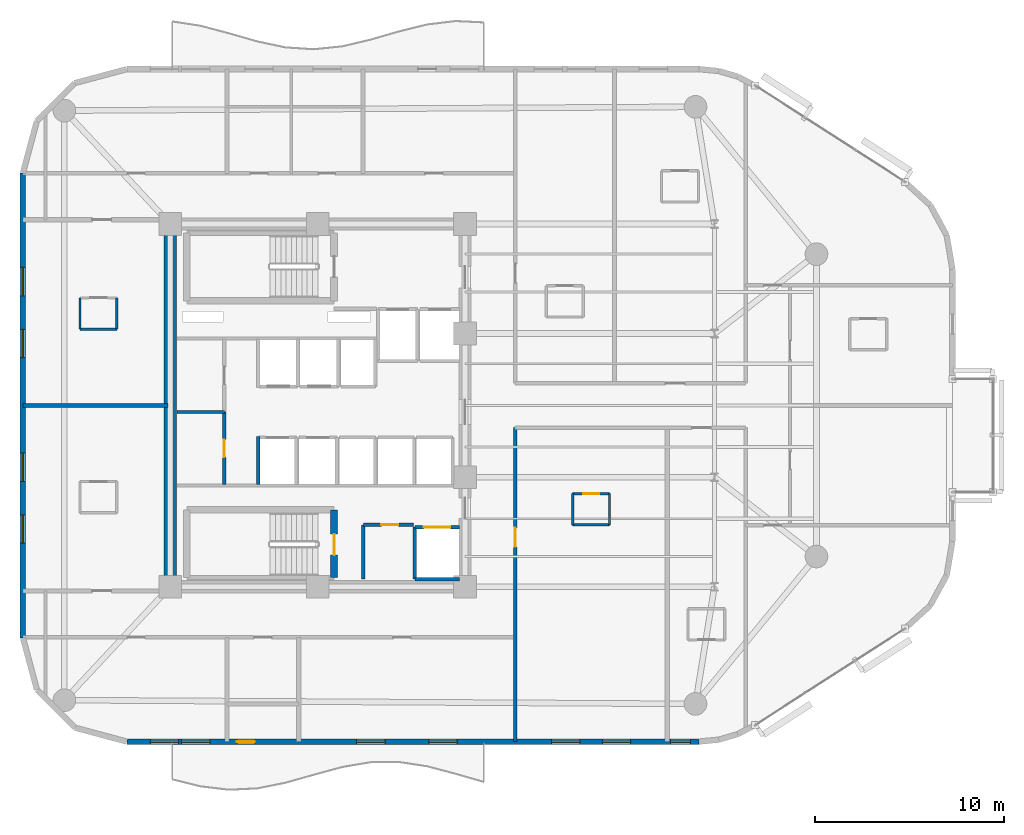
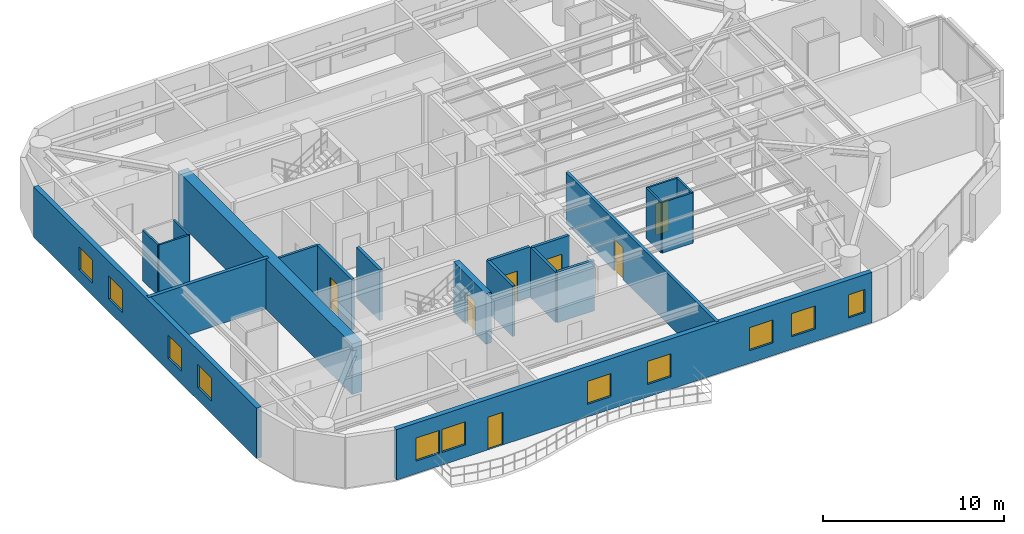
# One storey, part 11 of 16: 21 walls, 11 windows, 7 doors, 18 openings.
"""IFC4 building model written with IfcOpenShell, lengths in metres."""

from ifc_helpers import new_model, si_unit, direction, frame, frame_2d, origin, place, context, subcontext, project, spatial, rectangle, extrude, material, layer, layer_set, type_object, element, fill, save


model = new_model("IFC4")

# Units and contexts
model_context = context("Model", 3, precision=1e-05, world=origin(), true_north=direction((0.0, 1.0)))
body_context = subcontext(model_context, "Body", "Model", "MODEL_VIEW")
ifc_project = project(units=[si_unit("LENGTHUNIT", "METRE"), si_unit("AREAUNIT", "SQUARE_METRE"), si_unit("VOLUMEUNIT", "CUBIC_METRE"), si_unit("PLANEANGLEUNIT", "RADIAN"), si_unit("MASSUNIT", "GRAM", prefix="KILO")], contexts=[model_context])

# Site, building, storey
site_placement = place(None, origin())
site = spatial("IfcSite", under=ifc_project, at=site_placement, CompositionType="ELEMENT")
building_placement = place(site_placement, origin())
building = spatial("IfcBuilding", under=site, at=building_placement, Name="An Khanh Terracotta Commons", CompositionType="ELEMENT")
storey_placement = place(building_placement, frame((0.0, 0.0, 151.0)))
storey = spatial("IfcBuildingStorey", under=building, at=storey_placement, Name="L39", CompositionType="ELEMENT", Elevation=151.0)

# Wall
ifc_material_1 = material(Name="Concrete C60/75", Category="concrete")
ifc_layer_1 = layer(ifc_material_1, 0.64990234375, Name="Concrete C60/75")
ifc_layer_set_1 = layer_set([ifc_layer_1], Name="Concrete C60/75")
wall_type_1 = type_object("IfcWallType", Name="WALL-CORE-650", PredefinedType="SHEAR", material=ifc_layer_set_1)
wall_1_placement = place(storey_placement, frame((21.60009765625, 14.39990234375, 0.0), z_axis=(0.0, 0.0, 1.0), x_axis=(0.0, 1.0, 0.0)))
element("IfcWall", 1, at=wall_1_placement, inside=storey, type_object=wall_type_1, Name="L39 Core Wall CWALL-L39-W", PredefinedType="SHEAR", context=body_context, shape_type="SweptSolid", body=[
    extrude(rectangle(XDim=19.2001953125, YDim=0.64990234375, at=frame_2d((9.60009765625, 0.0))), origin(), (0.0, 0.0, 1.0), 3.39990234375),
])

# Wall, opening, door
ifc_material_2 = material(Name="Fire-Rated Gypsum Board on Steel Stud", Category="steel")
ifc_layer_2 = layer(ifc_material_2, 0.179931640625, Name="Fire-Rated Gypsum Board on Steel Stud")
ifc_layer_set_2 = layer_set([ifc_layer_2], Name="Fire-Rated Gypsum Board on Steel Stud")
wall_type_2 = type_object("IfcWallType", Name="WALL-CORR-180", PredefinedType="PARTITIONING", material=ifc_layer_set_2)
wall_2_placement = place(storey_placement, frame((31.820068359375, 17.679931640625, 0.0), z_axis=(0.0, 0.0, 1.0), x_axis=(1.0, 0.0, 0.0)))
wall_2 = element("IfcWall", 2, at=wall_2_placement, inside=storey, type_object=wall_type_2, Name="L39 Core Wall SSVCW-L39-N", PredefinedType="PARTITIONING", context=body_context, shape_type="SweptSolid", body=[
    extrude(rectangle(XDim=2.659912109375, YDim=0.179931640625, at=frame_2d((1.330078125, 0.0))), origin(), (0.0, 0.0, 1.0), 3.39990234375),
])
opening_1_placement = place(wall_2_placement, frame((0.949951171875, 0.0, 0.0)))
opening_1 = element("IfcOpeningElement", 3, at=opening_1_placement, cuts=wall_2, Name="Opening D-SV", PredefinedType="OPENING", context=body_context, shape_type="SweptSolid", body=[
    extrude(rectangle(XDim=0.89990234375, YDim=2.050048828125, at=frame_2d((0.449951171875, 1.02490234375))), frame((0.0, 0.099853515625, 0.0), z_axis=(0.0, -1.0, 0.0), x_axis=(1.0, 0.0, 0.0)), (0.0, 0.0, 1.0), 0.199951171875),
])
ifc_material_3 = material(Name="Fire-Rated Powder-Coated Steel Door", Category="steel")
door_type_1 = type_object("IfcDoorType", Name="DOOR-SERV-900", OperationType="NOTDEFINED", PredefinedType="DOOR", material=ifc_material_3)
door_1_placement = place(opening_1_placement, origin())
door_1 = element("IfcDoor", 4, at=door_1_placement, inside=storey, type_object=door_type_1, Name="L39 Electrical Switch Cupboard Door", OperationType="SINGLE_SWING_LEFT", OverallHeight=2.050048828125, OverallWidth=0.89990234375, PredefinedType="DOOR", context=body_context, shape_type="SweptSolid", body=[
    extrude(rectangle(XDim=0.89990234375, YDim=2.050048828125, at=frame_2d((0.449951171875, 1.02490234375))), frame((0.0, 0.02490234375, 0.0), z_axis=(0.0, -1.0, 0.0), x_axis=(1.0, 0.0, 0.0)), (0.0, 0.0, 1.0), 0.050048828125),
])
fill(opening_1, door_1)

# Wall
wall_3_placement = place(storey_placement, frame((31.820068359375, 14.800048828125, 0.0), z_axis=(0.0, 0.0, 1.0), x_axis=(0.0, 1.0, 0.0)))
element("IfcWall", 5, at=wall_3_placement, inside=storey, type_object=wall_type_2, Name="L39 Core Wall SSVCW-L39-W", PredefinedType="PARTITIONING", context=body_context, shape_type="SweptSolid", body=[
    extrude(rectangle(XDim=2.8798828125, YDim=0.179931640625, at=frame_2d((1.43994140625, 0.0))), origin(), (0.0, 0.0, 1.0), 3.39990234375),
])

# Wall, opening, door
wall_4_placement = place(storey_placement, frame((34.550048828125, 17.550048828125, 0.0), z_axis=(0.0, 0.0, 1.0), x_axis=(1.0, 0.0, 0.0)))
wall_4 = element("IfcWall", 6, at=wall_4_placement, inside=storey, type_object=wall_type_2, Name="L39 Core Wall LSH-L39-SVL-01-N", PredefinedType="PARTITIONING", context=body_context, shape_type="SweptSolid", body=[
    extrude(rectangle(XDim=2.349853515625, YDim=0.179931640625, at=frame_2d((1.1748046875, 0.0))), origin(), (0.0, 0.0, 1.0), 3.39990234375),
])
opening_2_placement = place(wall_4_placement, frame((0.47509765625, 0.0, 0.0)))
opening_2 = element("IfcOpeningElement", 7, at=opening_2_placement, cuts=wall_4, Name="Opening LD-SVL-01-L39", PredefinedType="OPENING", context=body_context, shape_type="SweptSolid", body=[
    extrude(rectangle(XDim=1.39990234375, YDim=2.300048828125, at=frame_2d((0.699951171875, 1.14990234375))), frame((0.0, 0.099853515625, 0.0), z_axis=(0.0, -1.0, 0.0), x_axis=(1.0, 0.0, 0.0)), (0.0, 0.0, 1.0), 0.199951171875),
])
ifc_material_4 = material(Name="Heavy-Duty Stainless Steel Goods Landing Door", Category="steel")
door_type_2 = type_object("IfcDoorType", Name="DOOR-LD-SVL-1400", OperationType="NOTDEFINED", PredefinedType="DOOR", material=ifc_material_4)
door_2_placement = place(opening_2_placement, origin())
door_2 = element("IfcDoor", 8, at=door_2_placement, inside=storey, type_object=door_type_2, Name="L39 Lift SVL-01 Sliding Landing Door", OperationType="DOUBLE_DOOR_SLIDING", OverallHeight=2.300048828125, OverallWidth=1.39990234375, PredefinedType="DOOR", context=body_context, shape_type="SweptSolid", body=[
    extrude(rectangle(XDim=1.39990234375, YDim=2.300048828125, at=frame_2d((0.699951171875, 1.14990234375))), frame((0.0, 0.02490234375, 0.0), z_axis=(0.0, -1.0, 0.0), x_axis=(1.0, 0.0, 0.0)), (0.0, 0.0, 1.0), 0.050048828125),
])
fill(opening_2, door_2)

# Walls
wall_5_placement = place(storey_placement, frame((36.89990234375, 14.800048828125, 0.0), z_axis=(0.0, 0.0, 1.0), x_axis=(-1.0, 0.0, 0.0)))
element("IfcWall", 9, at=wall_5_placement, inside=storey, type_object=wall_type_2, Name="L39 Core Wall LSH-L39-SVL-01-S", PredefinedType="PARTITIONING", context=body_context, shape_type="SweptSolid", body=[
    extrude(rectangle(XDim=2.349853515625, YDim=0.179931640625, at=frame_2d((1.1748046875, 0.0))), origin(), (0.0, 0.0, 1.0), 3.39990234375),
])
wall_6_placement = place(storey_placement, frame((34.550048828125, 17.550048828125, 0.0), z_axis=(0.0, 0.0, 1.0), x_axis=(0.0, -1.0, 0.0)))
element("IfcWall", 10, at=wall_6_placement, inside=storey, type_object=wall_type_2, Name="L39 Core Wall LSH-L39-SVL-01-W", PredefinedType="PARTITIONING", context=body_context, shape_type="SweptSolid", body=[
    extrude(rectangle(XDim=2.75, YDim=0.179931640625, at=frame_2d((1.375, 0.0))), origin(), (0.0, 0.0, 1.0), 3.39990234375),
])

# Wall, opening, door
wall_7_placement = place(storey_placement, frame((24.4599609375, 19.800048828125, 0.0), z_axis=(0.0, 0.0, 1.0), x_axis=(0.0, 1.0, 0.0)))
wall_7 = element("IfcWall", 11, at=wall_7_placement, inside=storey, type_object=wall_type_2, Name="L39 Core Wall RECW-L39-E2", PredefinedType="PARTITIONING", context=body_context, shape_type="SweptSolid", body=[
    extrude(rectangle(XDim=3.849853515625, YDim=0.179931640625, at=frame_2d((1.9248046875, 0.0))), origin(), (0.0, 0.0, 1.0), 3.39990234375),
])
opening_3_placement = place(wall_7_placement, frame((1.465087890625, 0.0, 0.0)))
opening_3 = element("IfcOpeningElement", 12, at=opening_3_placement, cuts=wall_7, Name="Opening D-RM", PredefinedType="OPENING", context=body_context, shape_type="SweptSolid", body=[
    extrude(rectangle(XDim=0.919921875, YDim=2.10009765625, at=frame_2d((0.4599609375, 1.050048828125))), frame((0.0, 0.099853515625, 0.0), z_axis=(0.0, -1.0, 0.0), x_axis=(1.0, 0.0, 0.0)), (0.0, 0.0, 1.0), 0.199951171875),
])
ifc_material_5 = material(Name="Engineered Hardwood Timber Leaf", Category="wood")
door_type_3 = type_object("IfcDoorType", Name="DOOR-INT-920", OperationType="NOTDEFINED", PredefinedType="DOOR", material=ifc_material_5)
door_3_placement = place(opening_3_placement, origin())
door_3 = element("IfcDoor", 13, at=door_3_placement, inside=storey, type_object=door_type_3, Name="L39 Floor Pantry and Ice Room Door", OperationType="SINGLE_SWING_LEFT", OverallHeight=2.10009765625, OverallWidth=0.919921875, PredefinedType="DOOR", context=body_context, shape_type="SweptSolid", body=[
    extrude(rectangle(XDim=0.919921875, YDim=2.10009765625, at=frame_2d((0.4599609375, 1.050048828125))), frame((0.0, 0.02490234375, 0.0), z_axis=(0.0, -1.0, 0.0), x_axis=(1.0, 0.0, 0.0)), (0.0, 0.0, 1.0), 0.050048828125),
])
fill(opening_3, door_3)

# Wall
wall_8_placement = place(storey_placement, frame((26.25, 19.800048828125, 0.0), z_axis=(0.0, 0.0, 1.0), x_axis=(0.0, 1.0, 0.0)))
element("IfcWall", 14, at=wall_8_placement, inside=storey, type_object=wall_type_2, Name="L39 Core Wall RECW-L39-BE2", PredefinedType="PARTITIONING", context=body_context, shape_type="SweptSolid", body=[
    extrude(rectangle(XDim=2.550048828125, YDim=0.179931640625, at=frame_2d((1.27490234375, 0.0))), origin(), (0.0, 0.0, 1.0), 3.39990234375),
])

# Wall, opening, door
wall_9_placement = place(storey_placement, frame((39.85009765625, 6.199951171875, 0.0), z_axis=(0.0, 0.0, 1.0), x_axis=(0.0, 1.0, 0.0)))
wall_9 = element("IfcWall", 15, at=wall_9_placement, inside=storey, type_object=wall_type_2, Name="L39 Interior Partition IW-L39-E020", PredefinedType="PARTITIONING", context=body_context, shape_type="SweptSolid", body=[
    extrude(rectangle(XDim=16.6201171875, YDim=0.179931640625, at=frame_2d((8.31005859375, 0.0))), origin(), (0.0, 0.0, 1.0), 3.39990234375),
])
opening_4_placement = place(wall_9_placement, frame((10.31005859375, 0.0, 0.0)))
opening_4 = element("IfcOpeningElement", 16, at=opening_4_placement, cuts=wall_9, Name="Opening D-UN", PredefinedType="OPENING", context=body_context, shape_type="SweptSolid", body=[
    extrude(rectangle(XDim=1.0, YDim=2.14990234375, at=frame_2d((0.5, 1.074951171875))), frame((0.0, 0.099853515625, 0.0), z_axis=(0.0, -1.0, 0.0), x_axis=(1.0, 0.0, 0.0)), (0.0, 0.0, 1.0), 0.199951171875),
])
ifc_material_6 = material(Name="Solid-Core Hardwood Acoustic Fire Door", Category="wood")
door_type_4 = type_object("IfcDoorType", Name="DOOR-UNIT-1000", OperationType="NOTDEFINED", PredefinedType="DOOR", material=ifc_material_6)
door_4_placement = place(opening_4_placement, origin())
door_4 = element("IfcDoor", 17, at=door_4_placement, inside=storey, type_object=door_type_4, Name="L39 SB1 Kitchenette and Studio Apartment Door", OperationType="SINGLE_SWING_RIGHT", OverallHeight=2.14990234375, OverallWidth=1.0, PredefinedType="DOOR", context=body_context, shape_type="SweptSolid", body=[
    extrude(rectangle(XDim=1.0, YDim=2.14990234375, at=frame_2d((0.5, 1.074951171875))), frame((0.0, 0.02490234375, 0.0), z_axis=(0.0, -1.0, 0.0), x_axis=(1.0, 0.0, 0.0)), (0.0, 0.0, 1.0), 0.050048828125),
])
fill(opening_4, door_4)

# Wall, openings, door, windows
ifc_material_7 = material(Name="Precast concrete C40/50", Category="concrete")
ifc_layer_3 = layer(ifc_material_7, 0.300048828125, Name="Precast concrete C40/50")
ifc_layer_set_3 = layer_set([ifc_layer_3], Name="Precast concrete C40/50")
wall_type_3 = type_object("IfcWallType", Name="WALL-EXT-300", PredefinedType="SOLIDWALL", material=ifc_layer_set_3)
wall_10_placement = place(storey_placement, frame((19.300048828125, 6.199951171875, 0.0), z_axis=(0.0, 0.0, 1.0), x_axis=(1.0, 0.0, 0.0)))
wall_10 = element("IfcWall", 18, at=wall_10_placement, inside=storey, type_object=wall_type_3, Name="L39 Insulated Terracotta Exterior Wall 4", PredefinedType="SOLIDWALL", context=body_context, shape_type="SweptSolid", body=[
    extrude(rectangle(XDim=30.281982421875, YDim=0.300048828125, at=frame_2d((15.14111328125, 0.0))), origin(), (0.0, 0.0, 1.0), 3.39990234375),
])
opening_5_placement = place(wall_10_placement, frame((5.824951171875, 0.0, 0.0)))
opening_5 = element("IfcOpeningElement", 19, at=opening_5_placement, cuts=wall_10, Name="Opening D-BAL", PredefinedType="OPENING", context=body_context, shape_type="SweptSolid", body=[
    extrude(rectangle(XDim=0.949951171875, YDim=2.199951171875, at=frame_2d((0.47509765625, 1.10009765625))), frame((0.0, 0.159912109375, 0.0), z_axis=(0.0, -1.0, 0.0), x_axis=(1.0, 0.0, 0.0)), (0.0, 0.0, 1.0), 0.320068359375),
])
opening_6_placement = place(wall_10_placement, frame((1.25, 0.0, 0.85009765625)))
opening_6 = element("IfcOpeningElement", 20, at=opening_6_placement, cuts=wall_10, Name="Opening W-03", PredefinedType="OPENING", context=body_context, shape_type="SweptSolid", body=[
    extrude(rectangle(XDim=1.5, YDim=1.550048828125, at=frame_2d((0.75, 0.77490234375))), frame((0.0, 0.159912109375, 0.0), z_axis=(0.0, -1.0, 0.0), x_axis=(1.0, 0.0, 0.0)), (0.0, 0.0, 1.0), 0.320068359375),
])
opening_7_placement = place(wall_10_placement, frame((2.89990234375, 0.0, 0.85009765625)))
opening_7 = element("IfcOpeningElement", 21, at=opening_7_placement, cuts=wall_10, Name="Opening W-03", PredefinedType="OPENING", context=body_context, shape_type="SweptSolid", body=[
    extrude(rectangle(XDim=1.5, YDim=1.550048828125, at=frame_2d((0.75, 0.77490234375))), frame((0.0, 0.159912109375, 0.0), z_axis=(0.0, -1.0, 0.0), x_axis=(1.0, 0.0, 0.0)), (0.0, 0.0, 1.0), 0.320068359375),
])
opening_8_placement = place(wall_10_placement, frame((12.1669921875, 0.0, 0.85009765625)))
opening_8 = element("IfcOpeningElement", 22, at=opening_8_placement, cuts=wall_10, Name="Opening W-03", PredefinedType="OPENING", context=body_context, shape_type="SweptSolid", body=[
    extrude(rectangle(XDim=1.5, YDim=1.550048828125, at=frame_2d((0.75, 0.77490234375))), frame((0.0, 0.159912109375, 0.0), z_axis=(0.0, -1.0, 0.0), x_axis=(1.0, 0.0, 0.0)), (0.0, 0.0, 1.0), 0.320068359375),
])
opening_9_placement = place(wall_10_placement, frame((15.98291015625, 0.0, 0.85009765625)))
opening_9 = element("IfcOpeningElement", 23, at=opening_9_placement, cuts=wall_10, Name="Opening W-03", PredefinedType="OPENING", context=body_context, shape_type="SweptSolid", body=[
    extrude(rectangle(XDim=1.5, YDim=1.550048828125, at=frame_2d((0.75, 0.77490234375))), frame((0.0, 0.159912109375, 0.0), z_axis=(0.0, -1.0, 0.0), x_axis=(1.0, 0.0, 0.0)), (0.0, 0.0, 1.0), 0.320068359375),
])
opening_10_placement = place(wall_10_placement, frame((22.48388671875, 0.0, 0.85009765625)))
opening_10 = element("IfcOpeningElement", 24, at=opening_10_placement, cuts=wall_10, Name="Opening W-03", PredefinedType="OPENING", context=body_context, shape_type="SweptSolid", body=[
    extrude(rectangle(XDim=1.5, YDim=1.550048828125, at=frame_2d((0.75, 0.77490234375))), frame((0.0, 0.159912109375, 0.0), z_axis=(0.0, -1.0, 0.0), x_axis=(1.0, 0.0, 0.0)), (0.0, 0.0, 1.0), 0.320068359375),
])
opening_11_placement = place(wall_10_placement, frame((25.16796875, 0.0, 0.85009765625)))
opening_11 = element("IfcOpeningElement", 25, at=opening_11_placement, cuts=wall_10, Name="Opening W-03", PredefinedType="OPENING", context=body_context, shape_type="SweptSolid", body=[
    extrude(rectangle(XDim=1.5, YDim=1.550048828125, at=frame_2d((0.75, 0.77490234375))), frame((0.0, 0.159912109375, 0.0), z_axis=(0.0, -1.0, 0.0), x_axis=(1.0, 0.0, 0.0)), (0.0, 0.0, 1.0), 0.320068359375),
])
opening_12_placement = place(wall_10_placement, frame((28.77294921875, 0.0, 0.85009765625)))
opening_12 = element("IfcOpeningElement", 26, at=opening_12_placement, cuts=wall_10, Name="Opening W-06", PredefinedType="OPENING", context=body_context, shape_type="SweptSolid", body=[
    extrude(rectangle(XDim=1.050048828125, YDim=1.550048828125, at=frame_2d((0.52490234375, 0.77490234375))), frame((0.0, 0.159912109375, 0.0), z_axis=(0.0, -1.0, 0.0), x_axis=(1.0, 0.0, 0.0)), (0.0, 0.0, 1.0), 0.320068359375),
])
ifc_material_8 = material(Name="Thermally Broken Aluminium and Low-E Glass", Category="aluminium")
door_type_5 = type_object("IfcDoorType", Name="DOOR-BALC-950", OperationType="NOTDEFINED", PredefinedType="DOOR", material=ifc_material_8)
door_5_placement = place(opening_5_placement, origin())
door_5 = element("IfcDoor", 27, at=door_5_placement, inside=storey, type_object=door_type_5, Name="L39 S Wave Balcony Glazed Door", OperationType="SINGLE_SWING_LEFT", OverallHeight=2.199951171875, OverallWidth=0.949951171875, PredefinedType="DOOR", context=body_context, shape_type="SweptSolid", body=[
    extrude(rectangle(XDim=0.949951171875, YDim=2.199951171875, at=frame_2d((0.47509765625, 1.10009765625))), frame((0.0, 0.02490234375, 0.0), z_axis=(0.0, -1.0, 0.0), x_axis=(1.0, 0.0, 0.0)), (0.0, 0.0, 1.0), 0.050048828125),
])
fill(opening_5, door_5)
window_type_1 = type_object("IfcWindowType", Name="WIN-COR-1050x1550", PartitioningType="SINGLE_PANEL", PredefinedType="WINDOW", material=ifc_material_8)
window_1_placement = place(opening_12_placement, origin())
window_1 = element("IfcWindow", 28, at=window_1_placement, inside=storey, type_object=window_type_1, Name="L39 L39-SB2 Dwelling Casement Window", OverallHeight=1.550048828125, OverallWidth=1.050048828125, PartitioningType="SINGLE_PANEL", PredefinedType="WINDOW", context=body_context, shape_type="SweptSolid", body=[
    extrude(rectangle(XDim=1.050048828125, YDim=1.550048828125, at=frame_2d((0.52490234375, 0.77490234375))), frame((0.0, 0.030029296875, 0.0), z_axis=(0.0, -1.0, 0.0), x_axis=(1.0, 0.0, 0.0)), (0.0, 0.0, 1.0), 0.06005859375),
])
fill(opening_12, window_1)
window_type_2 = type_object("IfcWindowType", Name="WIN-Z3-1500x1550", PartitioningType="DOUBLE_PANEL_VERTICAL", PredefinedType="WINDOW", material=ifc_material_8)
window_2_placement = place(opening_6_placement, origin())
window_2 = element("IfcWindow", 29, at=window_2_placement, inside=storey, type_object=window_type_2, Name="L39 Operable Casement Window 4.1", OverallHeight=1.550048828125, OverallWidth=1.5, PartitioningType="DOUBLE_PANEL_VERTICAL", PredefinedType="WINDOW", context=body_context, shape_type="SweptSolid", body=[
    extrude(rectangle(XDim=1.5, YDim=1.550048828125, at=frame_2d((0.75, 0.77490234375))), frame((0.0, 0.030029296875, 0.0), z_axis=(0.0, -1.0, 0.0), x_axis=(1.0, 0.0, 0.0)), (0.0, 0.0, 1.0), 0.06005859375),
])
fill(opening_6, window_2)
window_3_placement = place(opening_7_placement, origin())
window_3 = element("IfcWindow", 30, at=window_3_placement, inside=storey, type_object=window_type_2, Name="L39 Operable Casement Window 4.2", OverallHeight=1.550048828125, OverallWidth=1.5, PartitioningType="DOUBLE_PANEL_VERTICAL", PredefinedType="WINDOW", context=body_context, shape_type="SweptSolid", body=[
    extrude(rectangle(XDim=1.5, YDim=1.550048828125, at=frame_2d((0.75, 0.77490234375))), frame((0.0, 0.030029296875, 0.0), z_axis=(0.0, -1.0, 0.0), x_axis=(1.0, 0.0, 0.0)), (0.0, 0.0, 1.0), 0.06005859375),
])
fill(opening_7, window_3)
window_4_placement = place(opening_8_placement, origin())
window_4 = element("IfcWindow", 31, at=window_4_placement, inside=storey, type_object=window_type_2, Name="L39 Operable Casement Window 4.3", OverallHeight=1.550048828125, OverallWidth=1.5, PartitioningType="DOUBLE_PANEL_VERTICAL", PredefinedType="WINDOW", context=body_context, shape_type="SweptSolid", body=[
    extrude(rectangle(XDim=1.5, YDim=1.550048828125, at=frame_2d((0.75, 0.77490234375))), frame((0.0, 0.030029296875, 0.0), z_axis=(0.0, -1.0, 0.0), x_axis=(1.0, 0.0, 0.0)), (0.0, 0.0, 1.0), 0.06005859375),
])
fill(opening_8, window_4)
window_5_placement = place(opening_9_placement, origin())
window_5 = element("IfcWindow", 32, at=window_5_placement, inside=storey, type_object=window_type_2, Name="L39 Operable Casement Window 4.4", OverallHeight=1.550048828125, OverallWidth=1.5, PartitioningType="DOUBLE_PANEL_VERTICAL", PredefinedType="WINDOW", context=body_context, shape_type="SweptSolid", body=[
    extrude(rectangle(XDim=1.5, YDim=1.550048828125, at=frame_2d((0.75, 0.77490234375))), frame((0.0, 0.030029296875, 0.0), z_axis=(0.0, -1.0, 0.0), x_axis=(1.0, 0.0, 0.0)), (0.0, 0.0, 1.0), 0.06005859375),
])
fill(opening_9, window_5)
window_6_placement = place(opening_10_placement, origin())
window_6 = element("IfcWindow", 33, at=window_6_placement, inside=storey, type_object=window_type_2, Name="L39 Operable Casement Window 4.5", OverallHeight=1.550048828125, OverallWidth=1.5, PartitioningType="DOUBLE_PANEL_VERTICAL", PredefinedType="WINDOW", context=body_context, shape_type="SweptSolid", body=[
    extrude(rectangle(XDim=1.5, YDim=1.550048828125, at=frame_2d((0.75, 0.77490234375))), frame((0.0, 0.030029296875, 0.0), z_axis=(0.0, -1.0, 0.0), x_axis=(1.0, 0.0, 0.0)), (0.0, 0.0, 1.0), 0.06005859375),
])
fill(opening_10, window_6)
window_7_placement = place(opening_11_placement, origin())
window_7 = element("IfcWindow", 34, at=window_7_placement, inside=storey, type_object=window_type_2, Name="L39 Operable Casement Window 4.6", OverallHeight=1.550048828125, OverallWidth=1.5, PartitioningType="DOUBLE_PANEL_VERTICAL", PredefinedType="WINDOW", context=body_context, shape_type="SweptSolid", body=[
    extrude(rectangle(XDim=1.5, YDim=1.550048828125, at=frame_2d((0.75, 0.77490234375))), frame((0.0, 0.030029296875, 0.0), z_axis=(0.0, -1.0, 0.0), x_axis=(1.0, 0.0, 0.0)), (0.0, 0.0, 1.0), 0.06005859375),
])
fill(opening_11, window_7)

# Wall, openings, windows
wall_11_placement = place(storey_placement, frame((13.800048828125, 36.300048828125, 0.0), z_axis=(0.0, 0.0, 1.0), x_axis=(0.0, -1.0, 0.0)))
wall_11 = element("IfcWall", 35, at=wall_11_placement, inside=storey, type_object=wall_type_3, Name="L39 Insulated Terracotta Exterior Wall 24", PredefinedType="SOLIDWALL", context=body_context, shape_type="SweptSolid", body=[
    extrude(rectangle(XDim=24.60009765625, YDim=0.300048828125, at=frame_2d((12.300048828125, 0.0))), origin(), (0.0, 0.0, 1.0), 3.39990234375),
])
opening_13_placement = place(wall_11_placement, frame((5.0029296875, 0.0, 0.85009765625)))
opening_13 = element("IfcOpeningElement", 36, at=opening_13_placement, cuts=wall_11, Name="Opening W-03", PredefinedType="OPENING", context=body_context, shape_type="SweptSolid", body=[
    extrude(rectangle(XDim=1.5, YDim=1.550048828125, at=frame_2d((0.75, 0.77490234375))), frame((0.0, 0.159912109375, 0.0), z_axis=(0.0, -1.0, 0.0), x_axis=(1.0, 0.0, 0.0)), (0.0, 0.0, 1.0), 0.320068359375),
])
opening_14_placement = place(wall_11_placement, frame((8.277099609375, 0.0, 0.85009765625)))
opening_14 = element("IfcOpeningElement", 37, at=opening_14_placement, cuts=wall_11, Name="Opening W-03", PredefinedType="OPENING", context=body_context, shape_type="SweptSolid", body=[
    extrude(rectangle(XDim=1.5, YDim=1.550048828125, at=frame_2d((0.75, 0.77490234375))), frame((0.0, 0.159912109375, 0.0), z_axis=(0.0, -1.0, 0.0), x_axis=(1.0, 0.0, 0.0)), (0.0, 0.0, 1.0), 0.320068359375),
])
opening_15_placement = place(wall_11_placement, frame((14.822998046875, 0.0, 0.85009765625)))
opening_15 = element("IfcOpeningElement", 38, at=opening_15_placement, cuts=wall_11, Name="Opening W-03", PredefinedType="OPENING", context=body_context, shape_type="SweptSolid", body=[
    extrude(rectangle(XDim=1.5, YDim=1.550048828125, at=frame_2d((0.75, 0.77490234375))), frame((0.0, 0.159912109375, 0.0), z_axis=(0.0, -1.0, 0.0), x_axis=(1.0, 0.0, 0.0)), (0.0, 0.0, 1.0), 0.320068359375),
])
opening_16_placement = place(wall_11_placement, frame((18.096923828125, 0.0, 0.85009765625)))
opening_16 = element("IfcOpeningElement", 39, at=opening_16_placement, cuts=wall_11, Name="Opening W-03", PredefinedType="OPENING", context=body_context, shape_type="SweptSolid", body=[
    extrude(rectangle(XDim=1.5, YDim=1.550048828125, at=frame_2d((0.75, 0.77490234375))), frame((0.0, 0.159912109375, 0.0), z_axis=(0.0, -1.0, 0.0), x_axis=(1.0, 0.0, 0.0)), (0.0, 0.0, 1.0), 0.320068359375),
])
window_8_placement = place(opening_13_placement, origin())
window_8 = element("IfcWindow", 40, at=window_8_placement, inside=storey, type_object=window_type_2, Name="L39 Operable Casement Window 24.1", OverallHeight=1.550048828125, OverallWidth=1.5, PartitioningType="DOUBLE_PANEL_VERTICAL", PredefinedType="WINDOW", context=body_context, shape_type="SweptSolid", body=[
    extrude(rectangle(XDim=1.5, YDim=1.550048828125, at=frame_2d((0.75, 0.77490234375))), frame((0.0, 0.030029296875, 0.0), z_axis=(0.0, -1.0, 0.0), x_axis=(1.0, 0.0, 0.0)), (0.0, 0.0, 1.0), 0.06005859375),
])
fill(opening_13, window_8)
window_9_placement = place(opening_14_placement, origin())
window_9 = element("IfcWindow", 41, at=window_9_placement, inside=storey, type_object=window_type_2, Name="L39 Operable Casement Window 24.2", OverallHeight=1.550048828125, OverallWidth=1.5, PartitioningType="DOUBLE_PANEL_VERTICAL", PredefinedType="WINDOW", context=body_context, shape_type="SweptSolid", body=[
    extrude(rectangle(XDim=1.5, YDim=1.550048828125, at=frame_2d((0.75, 0.77490234375))), frame((0.0, 0.030029296875, 0.0), z_axis=(0.0, -1.0, 0.0), x_axis=(1.0, 0.0, 0.0)), (0.0, 0.0, 1.0), 0.06005859375),
])
fill(opening_14, window_9)
window_10_placement = place(opening_15_placement, origin())
window_10 = element("IfcWindow", 42, at=window_10_placement, inside=storey, type_object=window_type_2, Name="L39 Operable Casement Window 24.3", OverallHeight=1.550048828125, OverallWidth=1.5, PartitioningType="DOUBLE_PANEL_VERTICAL", PredefinedType="WINDOW", context=body_context, shape_type="SweptSolid", body=[
    extrude(rectangle(XDim=1.5, YDim=1.550048828125, at=frame_2d((0.75, 0.77490234375))), frame((0.0, 0.030029296875, 0.0), z_axis=(0.0, -1.0, 0.0), x_axis=(1.0, 0.0, 0.0)), (0.0, 0.0, 1.0), 0.06005859375),
])
fill(opening_15, window_10)
window_11_placement = place(opening_16_placement, origin())
window_11 = element("IfcWindow", 43, at=window_11_placement, inside=storey, type_object=window_type_2, Name="L39 Operable Casement Window 24.4", OverallHeight=1.550048828125, OverallWidth=1.5, PartitioningType="DOUBLE_PANEL_VERTICAL", PredefinedType="WINDOW", context=body_context, shape_type="SweptSolid", body=[
    extrude(rectangle(XDim=1.5, YDim=1.550048828125, at=frame_2d((0.75, 0.77490234375))), frame((0.0, 0.030029296875, 0.0), z_axis=(0.0, -1.0, 0.0), x_axis=(1.0, 0.0, 0.0)), (0.0, 0.0, 1.0), 0.06005859375),
])
fill(opening_16, window_11)

# Walls
ifc_material_9 = material(Name="Acoustic Gypsum Board Partition")
ifc_layer_4 = layer(ifc_material_9, 0.14990234375, Name="Acoustic Gypsum Board Partition")
ifc_layer_set_4 = layer_set([ifc_layer_4], Name="Acoustic Gypsum Board Partition")
wall_type_4 = type_object("IfcWallType", Name="WALL-PART-150", PredefinedType="PARTITIONING", material=ifc_layer_set_4)
wall_12_placement = place(storey_placement, frame((21.949951171875, 23.64990234375, 0.0), z_axis=(0.0, 0.0, 1.0), x_axis=(1.0, 0.0, 0.0)))
element("IfcWall", 44, at=wall_12_placement, inside=storey, type_object=wall_type_4, Name="L39 Core Wall RECW-L39-M", PredefinedType="PARTITIONING", context=body_context, shape_type="SweptSolid", body=[
    extrude(rectangle(XDim=2.510009765625, YDim=0.14990234375, at=frame_2d((1.2548828125, 0.0))), origin(), (0.0, 0.0, 1.0), 3.39990234375),
])
ifc_material_10 = material(Name="Acoustic Double-Stud Gypsum and Mineral Wool")
ifc_layer_5 = layer(ifc_material_10, 0.219970703125, Name="Acoustic Double-Stud Gypsum and Mineral Wool")
ifc_layer_set_5 = layer_set([ifc_layer_5], Name="Acoustic Double-Stud Gypsum and Mineral Wool")
wall_type_5 = type_object("IfcWallType", Name="WALL-PARTY-220", PredefinedType="PARTITIONING", material=ifc_layer_set_5)
wall_13_placement = place(storey_placement, frame((13.800048828125, 24.0, 0.0), z_axis=(0.0, 0.0, 1.0), x_axis=(1.0, 0.0, 0.0)))
element("IfcWall", 45, at=wall_13_placement, inside=storey, type_object=wall_type_5, Name="L39 Interior Partition IW-L39-E006", PredefinedType="PARTITIONING", context=body_context, shape_type="SweptSolid", body=[
    extrude(rectangle(XDim=7.679931640625, YDim=0.219970703125, at=frame_2d((3.83984375, 0.0))), origin(), (0.0, 0.0, 1.0), 3.39990234375),
])

# Wall, opening, door
ifc_material_11 = material(Name="Concrete C50/60", Category="concrete")
ifc_layer_6 = layer(ifc_material_11, 0.35009765625, Name="Concrete C50/60")
ifc_layer_set_6 = layer_set([ifc_layer_6], Name="Concrete C50/60")
wall_type_6 = type_object("IfcWallType", Name="WALL-SHAFT-350", PredefinedType="SOLIDWALL", material=ifc_layer_set_6)
wall_14_placement = place(storey_placement, frame((30.27001953125, 14.889892578125, 0.0), z_axis=(0.0, 0.0, 1.0), x_axis=(0.0, 1.0, 0.0)))
wall_14 = element("IfcWall", 46, at=wall_14_placement, inside=storey, type_object=wall_type_6, Name="L39 Core Wall STW-L39-S-E", PredefinedType="SOLIDWALL", context=body_context, shape_type="SweptSolid", body=[
    extrude(rectangle(XDim=3.580078125, YDim=0.35009765625, at=frame_2d((1.7900390625, 0.0))), origin(), (0.0, 0.0, 1.0), 3.39990234375),
])
opening_17_placement = place(wall_14_placement, frame((1.18994140625, 0.0, 0.0)))
opening_17 = element("IfcOpeningElement", 47, at=opening_17_placement, cuts=wall_14, Name="Opening D-ST", PredefinedType="OPENING", context=body_context, shape_type="SweptSolid", body=[
    extrude(rectangle(XDim=1.10009765625, YDim=2.14990234375, at=frame_2d((0.550048828125, 1.074951171875))), frame((0.0, 0.18505859375, 0.0), z_axis=(0.0, -1.0, 0.0), x_axis=(1.0, 0.0, 0.0)), (0.0, 0.0, 1.0), 0.3701171875),
])
ifc_material_12 = material(Name="Fire-Rated Steel Leaf and Frame", Category="steel")
door_type_6 = type_object("IfcDoorType", Name="DOOR-STAIR-1100", OperationType="NOTDEFINED", PredefinedType="DOOR", material=ifc_material_12)
door_6_placement = place(opening_17_placement, origin())
door_6 = element("IfcDoor", 48, at=door_6_placement, inside=storey, type_object=door_type_6, Name="L39 Stair ST-02 Fire Door", OperationType="SINGLE_SWING_RIGHT", OverallHeight=2.14990234375, OverallWidth=1.10009765625, PredefinedType="DOOR", context=body_context, shape_type="SweptSolid", body=[
    extrude(rectangle(XDim=1.10009765625, YDim=2.14990234375, at=frame_2d((0.550048828125, 1.074951171875))), frame((0.0, 0.02490234375, 0.0), z_axis=(0.0, -1.0, 0.0), x_axis=(1.0, 0.0, 0.0)), (0.0, 0.0, 1.0), 0.050048828125),
])
fill(opening_17, door_6)

ifc_material_13 = material(Name="Moisture-Resistant Cement Board Partition")
ifc_layer_7 = layer(ifc_material_13, 0.1201171875, Name="Moisture-Resistant Cement Board Partition")
ifc_layer_set_7 = layer_set([ifc_layer_7], Name="Moisture-Resistant Cement Board Partition")
wall_type_7 = type_object("IfcWallType", Name="WALL-WET-120", PredefinedType="PARTITIONING", material=ifc_layer_set_7)
wall_15_placement = place(storey_placement, frame((42.90087890625, 19.324951171875, 0.0), z_axis=(0.0, 0.0, 1.0), x_axis=(1.0, 0.0, 0.0)))
wall_15 = element("IfcWall", 49, at=wall_15_placement, inside=storey, type_object=wall_type_7, Name="L39 Interior Partition IW-L39-SB1-BN", PredefinedType="PARTITIONING", context=body_context, shape_type="SweptSolid", body=[
    extrude(rectangle(XDim=1.9501953125, YDim=0.1201171875, at=frame_2d((0.97509765625, 0.0))), origin(), (0.0, 0.0, 1.0), 3.39990234375),
])
opening_18_placement = place(wall_15_placement, frame((0.544921875, 0.0, 0.0)))
opening_18 = element("IfcOpeningElement", 50, at=opening_18_placement, cuts=wall_15, Name="Opening D-ENS", PredefinedType="OPENING", context=body_context, shape_type="SweptSolid", body=[
    extrude(rectangle(XDim=0.860107421875, YDim=2.10009765625, at=frame_2d((0.43017578125, 1.050048828125))), frame((0.0, 0.070068359375, 0.0), z_axis=(0.0, -1.0, 0.0), x_axis=(1.0, 0.0, 0.0)), (0.0, 0.0, 1.0), 0.14013671875),
])
ifc_material_14 = material(Name="Moisture-Resistant Hardwood Timber Leaf", Category="wood")
door_type_7 = type_object("IfcDoorType", Name="DOOR-BATH-860", OperationType="NOTDEFINED", PredefinedType="DOOR", material=ifc_material_14)
door_7_placement = place(opening_18_placement, origin())
door_7 = element("IfcDoor", 51, at=door_7_placement, inside=storey, type_object=door_type_7, Name="L39 Studio SB1 En-suite Door", OperationType="SINGLE_SWING_RIGHT", OverallHeight=2.10009765625, OverallWidth=0.860107421875, PredefinedType="DOOR", context=body_context, shape_type="SweptSolid", body=[
    extrude(rectangle(XDim=0.860107421875, YDim=2.10009765625, at=frame_2d((0.43017578125, 1.050048828125))), frame((0.0, 0.02490234375, 0.0), z_axis=(0.0, -1.0, 0.0), x_axis=(1.0, 0.0, 0.0)), (0.0, 0.0, 1.0), 0.050048828125),
])
fill(opening_18, door_7)

# Walls
wall_16_placement = place(storey_placement, frame((44.85107421875, 17.675048828125, 0.0), z_axis=(0.0, 0.0, 1.0), x_axis=(-1.0, 0.0, 0.0)))
element("IfcWall", 52, at=wall_16_placement, inside=storey, type_object=wall_type_7, Name="L39 Interior Partition IW-L39-SB1-BS", PredefinedType="PARTITIONING", context=body_context, shape_type="SweptSolid", body=[
    extrude(rectangle(XDim=1.9501953125, YDim=0.1201171875, at=frame_2d((0.97509765625, 0.0))), origin(), (0.0, 0.0, 1.0), 3.39990234375),
])
for number, where, z_axis, x_axis, name in (
    (53, (42.90087890625, 19.324951171875, 0.0), (0.0, 0.0, 1.0), (0.0, -1.0, 0.0), "L39 Interior Partition IW-L39-SB1-BW"),
    (54, (44.85107421875, 17.675048828125, 0.0), (0.0, 0.0, 1.0), (0.0, 1.0, 0.0), "L39 Interior Partition IW-L39-SB1-BE"),
):
    element("IfcWall", number, at=place(storey_placement, frame(where, z_axis=z_axis, x_axis=x_axis)), inside=storey, type_object=wall_type_7, Name=name, PredefinedType="PARTITIONING", context=body_context, shape_type="SweptSolid", body=[
        extrude(rectangle(XDim=1.64990234375, YDim=0.1201171875, at=frame_2d((0.824951171875, 0.0))), origin(), (0.0, 0.0, 1.0), 3.39990234375),
    ])
wall_17_placement = place(storey_placement, frame((18.77490234375, 28.034912109375, 0.0), z_axis=(0.0, 0.0, 1.0), x_axis=(-1.0, 0.0, 0.0)))
element("IfcWall", 55, at=wall_17_placement, inside=storey, type_object=wall_type_7, Name="L39 Interior Partition IW-L39-WW2-BS", PredefinedType="PARTITIONING", context=body_context, shape_type="SweptSolid", body=[
    extrude(rectangle(XDim=1.949951171875, YDim=0.1201171875, at=frame_2d((0.97509765625, 0.0))), origin(), (0.0, 0.0, 1.0), 3.39990234375),
])
for number, where, z_axis, x_axis, name in (
    (56, (16.824951171875, 29.68505859375, 0.0), (0.0, 0.0, 1.0), (0.0, -1.0, 0.0), "L39 Interior Partition IW-L39-WW2-BW"),
    (57, (18.77490234375, 28.034912109375, 0.0), (0.0, 0.0, 1.0), (0.0, 1.0, 0.0), "L39 Interior Partition IW-L39-WW2-BE"),
):
    element("IfcWall", number, at=place(storey_placement, frame(where, z_axis=z_axis, x_axis=x_axis)), inside=storey, type_object=wall_type_7, Name=name, PredefinedType="PARTITIONING", context=body_context, shape_type="SweptSolid", body=[
        extrude(rectangle(XDim=1.650146484375, YDim=0.1201171875, at=frame_2d((0.8251953125, 0.0))), origin(), (0.0, 0.0, 1.0), 3.39990234375),
    ])

save(model, "model.ifc")
